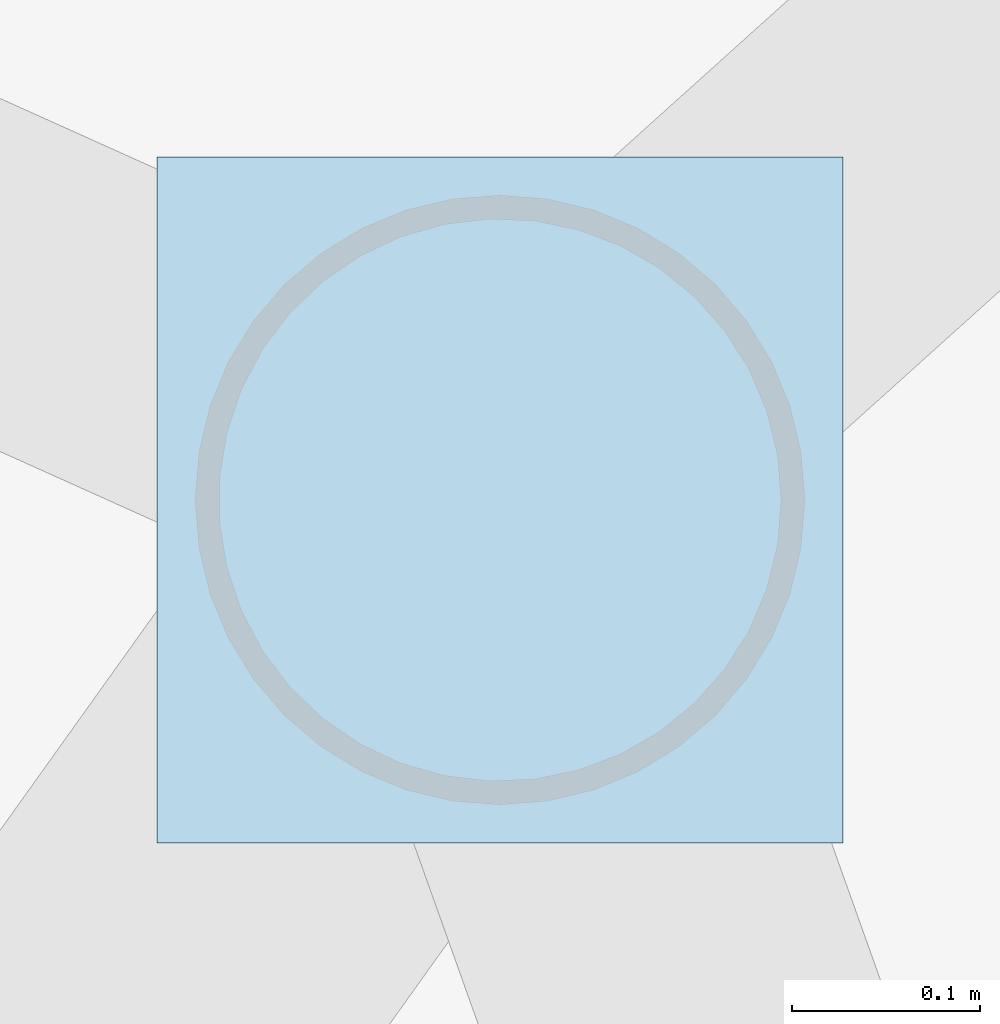
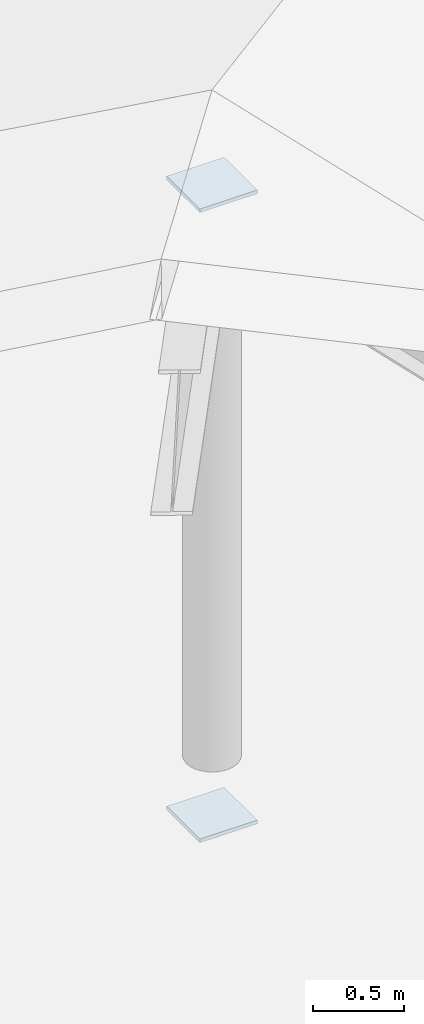
# One storey, part 64 of 79: 2 plates.
"""IFC4 building model written with IfcOpenShell, lengths in metres."""

from ifc_helpers import new_model, si_unit, direction, frame, origin, origin_2d, place, context, subcontext, project, spatial, rectangle, extrude, material, layer, layer_set, type_object, element, save


model = new_model("IFC4")

# Units and contexts
model_context = context("Model", 3, precision=1e-05, world=origin(), true_north=direction((0.0, 1.0)))
body_context = subcontext(model_context, "Body", "Model", "MODEL_VIEW")
ifc_project = project(units=[si_unit("LENGTHUNIT", "METRE"), si_unit("AREAUNIT", "SQUARE_METRE"), si_unit("VOLUMEUNIT", "CUBIC_METRE"), si_unit("PLANEANGLEUNIT", "RADIAN"), si_unit("MASSUNIT", "GRAM", prefix="KILO")], contexts=[model_context])

# Site, building, storey
site_placement = place(None, origin())
site = spatial("IfcSite", under=ifc_project, at=site_placement, CompositionType="ELEMENT")
building_placement = place(site_placement, origin())
building = spatial("IfcBuilding", under=site, at=building_placement, Name="Tarnwether General Hospital", CompositionType="ELEMENT")
storey_placement = place(building_placement, frame((0.0, 0.0, 18.300048828125)))
storey = spatial("IfcBuildingStorey", under=building, at=storey_placement, Name="L04", CompositionType="ELEMENT", Elevation=18.300048828125)

# Plates
ifc_material = material(Name="Steel Grade 350 (350 MPa)", Category="steel")
ifc_layer = layer(ifc_material, 0.02490234375)
ifc_layer_set = layer_set([ifc_layer], Name="Steel Grade 350 (350 MPa)")
plate_type = type_object("IfcPlateType", Name="PT-GUS2", PredefinedType="USERDEFINED", material=ifc_layer_set)
for number, where, z_axis, x_axis, name in (
    (1, (168.0, 115.199951171875, -0.02490234375), (0.0, 0.0, 1.0), (1.0, 0.0, 0.0), "Hollow Section Welded End Cap Plate 1389"),
    (2, (168.0, 115.199951171875, 4.199951171875), (0.0, 0.0, 1.0), (1.0, 0.0, 0.0), "Hollow Section Welded End Cap Plate 1390"),
):
    element("IfcPlate", number, at=place(storey_placement, frame(where, z_axis=z_axis, x_axis=x_axis)), inside=storey, type_object=plate_type, Name=name, ObjectType="GUSSET", PredefinedType="USERDEFINED", context=body_context, shape_type="SweptSolid", body=[
        extrude(rectangle(XDim=0.364013671875, YDim=0.364013671875, at=origin_2d()), origin(), (0.0, 0.0, 1.0), 0.02490234375),
    ])

save(model, "model.ifc")
